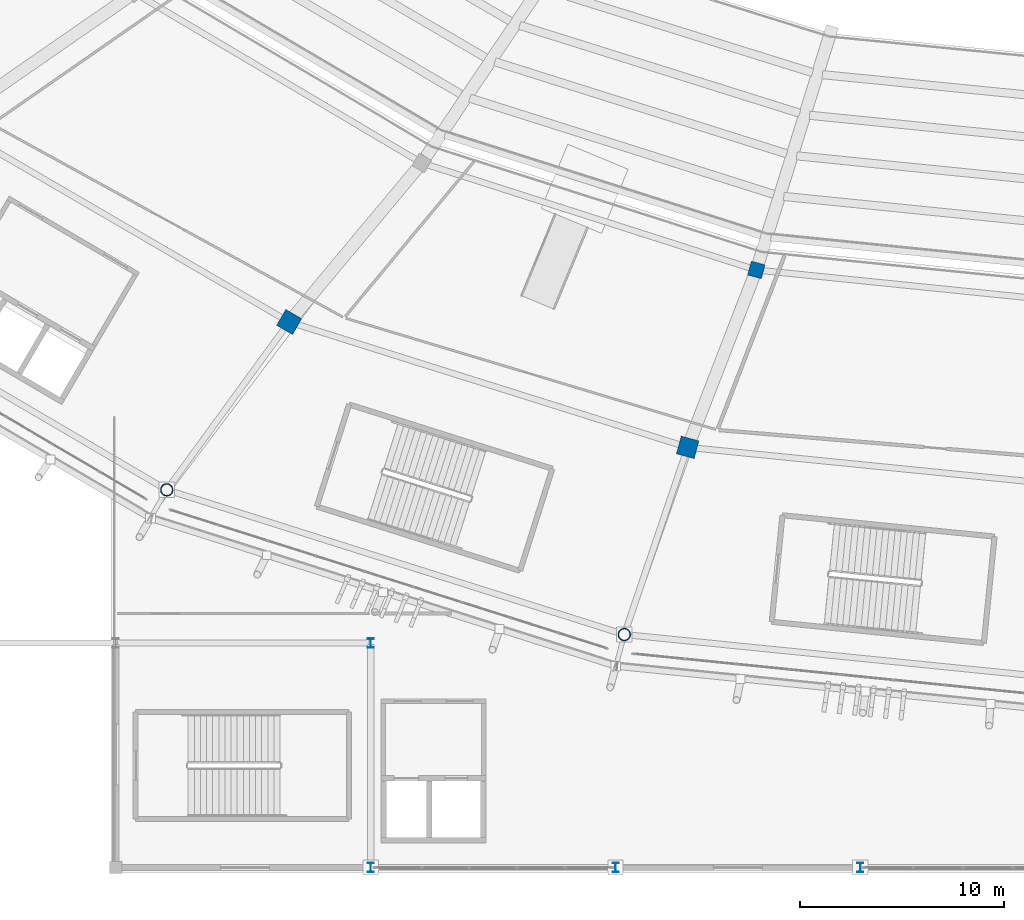
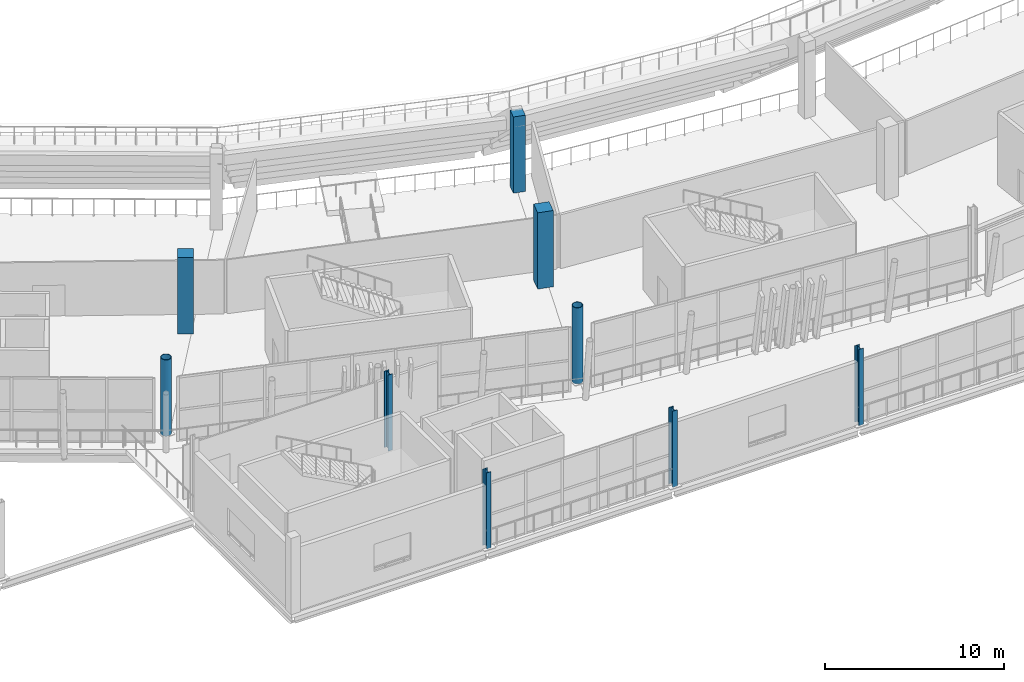
# One storey, part 4 of 178: 9 columns.
"""IFC4 building model written with IfcOpenShell, lengths in metres."""

from ifc_helpers import new_model, si_unit, direction, frame, origin, origin_2d, place, context, subcontext, project, spatial, rectangle, hollow_circle, i_section, extrude, material, material_profile, profile_set, type_object, element, save


model = new_model("IFC4")

# Units and contexts
model_context = context("Model", 3, precision=1e-05, world=origin(), true_north=direction((0.0, 1.0)))
body_context = subcontext(model_context, "Body", "Model", "MODEL_VIEW")
ifc_project = project(units=[si_unit("LENGTHUNIT", "METRE"), si_unit("AREAUNIT", "SQUARE_METRE"), si_unit("VOLUMEUNIT", "CUBIC_METRE"), si_unit("PLANEANGLEUNIT", "RADIAN"), si_unit("MASSUNIT", "GRAM", prefix="KILO")], contexts=[model_context])

# Site, building, storey
site_placement = place(None, origin())
site = spatial("IfcSite", under=ifc_project, at=site_placement, CompositionType="ELEMENT")
building_placement = place(site_placement, origin())
building = spatial("IfcBuilding", under=site, at=building_placement, Name="Zlatoyarsky Gate Stadium", CompositionType="ELEMENT")
storey_placement = place(building_placement, frame((0.0, 0.0, 5.39990234375)))
storey = spatial("IfcBuildingStorey", under=building, at=storey_placement, Name="L01", CompositionType="ELEMENT", Elevation=5.39990234375)

# Columns
ifc_material_1 = material(Name="Concrete C40/50", Category="concrete")
ifc_material_profile_1 = material_profile(ifc_material_1, rectangle(XDim=0.699951171875, YDim=0.699951171875, at=origin_2d()), Name="RC COL 700X700")
ifc_profile_set_1 = profile_set([ifc_material_profile_1], Name="Concrete C40/50")
column_type_1 = type_object("IfcColumnType", Name="CONCRETE COLUMN 700X700", PredefinedType="COLUMN", material=ifc_profile_set_1)
column_placement = place(storey_placement, frame((93.400390625, 29.288818359375, 0.0), z_axis=(0.0, 0.0, 1.0), x_axis=(-0.258819045103, -0.965925826289, 0.0)))
element("IfcColumn", 1, at=column_placement, inside=storey, type_object=column_type_1, Name="Column RC-C70 RA-17 on L01", PredefinedType="COLUMN", context=body_context, shape_type="SweptSolid", body=[
    extrude(rectangle(XDim=0.699951171875, YDim=0.699951171875, at=origin_2d()), origin(), (0.0, 0.0, 1.0), 5.2001953125),
])
ifc_material_profile_2 = material_profile(ifc_material_1, rectangle(XDim=0.89990234375, YDim=0.89990234375, at=origin_2d()), Name="RC COL 900X900")
ifc_profile_set_2 = profile_set([ifc_material_profile_2], Name="Concrete C40/50")
column_type_2 = type_object("IfcColumnType", Name="CONCRETE COLUMN 900X900", PredefinedType="COLUMN", material=ifc_profile_set_2)
for number, where, z_axis, x_axis, name in (
    (2, (70.5, 26.739501953125, 0.0), (0.0, 0.0, 1.0), (-0.5, -0.866025403784, 0.0), "Column RC-C90 RB-16 on L01"),
    (3, (90.03564453125, 20.595703125, 0.0), (0.0, 0.0, 1.0), (-0.258819045103, -0.965925826289, 0.0), "Column RC-C90 RB-17 on L01"),
):
    element("IfcColumn", number, at=place(storey_placement, frame(where, z_axis=z_axis, x_axis=x_axis)), inside=storey, type_object=column_type_2, Name=name, PredefinedType="COLUMN", context=body_context, shape_type="SweptSolid", body=[
        extrude(rectangle(XDim=0.89990234375, YDim=0.89990234375, at=origin_2d()), origin(), (0.0, 0.0, 1.0), 5.2001953125),
    ])
ifc_material_2 = material(Name="Steel S355", Category="steel")
ifc_material_profile_3 = material_profile(ifc_material_2, i_section(OverallWidth=0.300048828125, OverallDepth=0.449951171875, WebThickness=0.013916015625, FlangeThickness=0.02587890625, FilletRadius=0.027099609375, at=origin_2d()), Name="HEB 450")
ifc_profile_set_3 = profile_set([ifc_material_profile_3], Name="Steel S355")
column_type_3 = type_object("IfcColumnType", Name="STEEL COLUMN HEB 450", PredefinedType="COLUMN", material=ifc_profile_set_3)
for number, where, z_axis, x_axis, name in (
    (4, (74.5, 0.0, 0.0), (0.0, 0.0, 1.0), (1.0, 0.0, 0.0), "Column ST-C450 WG-7-A on L01"),
    (5, (74.5, 11.0, 0.0), (0.0, 0.0, 1.0), (1.0, 0.0, 0.0), "Column ST-C450 WG-7-B on L01"),
    (6, (86.5, 0.0, 0.0), (0.0, 0.0, 1.0), (1.0, 0.0, 0.0), "Column ST-C450 WG-8-A on L01"),
    (7, (98.5, 0.0, 0.0), (0.0, 0.0, 1.0), (1.0, 0.0, 0.0), "Column ST-C450 WG-9-A on L01"),
):
    element("IfcColumn", number, at=place(storey_placement, frame(where, z_axis=z_axis, x_axis=x_axis)), inside=storey, type_object=column_type_3, Name=name, PredefinedType="COLUMN", context=body_context, shape_type="SweptSolid", body=[
        extrude(i_section(OverallWidth=0.300048828125, OverallDepth=0.449951171875, WebThickness=0.013916015625, FlangeThickness=0.02587890625, FilletRadius=0.027099609375, at=origin_2d()), origin(), (0.0, 0.0, 1.0), 5.2001953125),
    ])
ifc_material_profile_4 = material_profile(ifc_material_2, hollow_circle(Radius=0.304931640625, WallThickness=0.030029296875, at=origin_2d()), Name="CHS 610X30")
ifc_profile_set_4 = profile_set([ifc_material_profile_4], Name="Steel S355")
column_type_4 = type_object("IfcColumnType", Name="STEEL TUBULAR COLUMN CHS 610X30", PredefinedType="COLUMN", material=ifc_profile_set_4)
for number, where, z_axis, x_axis, name in (
    (8, (64.5, 18.51220703125, 0.0), (0.0, 0.0, 1.0), (-0.5, -0.866025403784, 0.0), "Column ST-C610 RC-16 on L01"),
    (9, (86.9296875, 11.419189453125, 0.0), (0.0, 0.0, 1.0), (-0.258819045103, -0.965925826289, 0.0), "Column ST-C610 RC-17 on L01"),
):
    element("IfcColumn", number, at=place(storey_placement, frame(where, z_axis=z_axis, x_axis=x_axis)), inside=storey, type_object=column_type_4, Name=name, PredefinedType="COLUMN", context=body_context, shape_type="SweptSolid", body=[
        extrude(hollow_circle(Radius=0.304931640625, WallThickness=0.030029296875, at=origin_2d()), origin(), (0.0, 0.0, 1.0), 5.2001953125),
    ])

save(model, "model.ifc")
